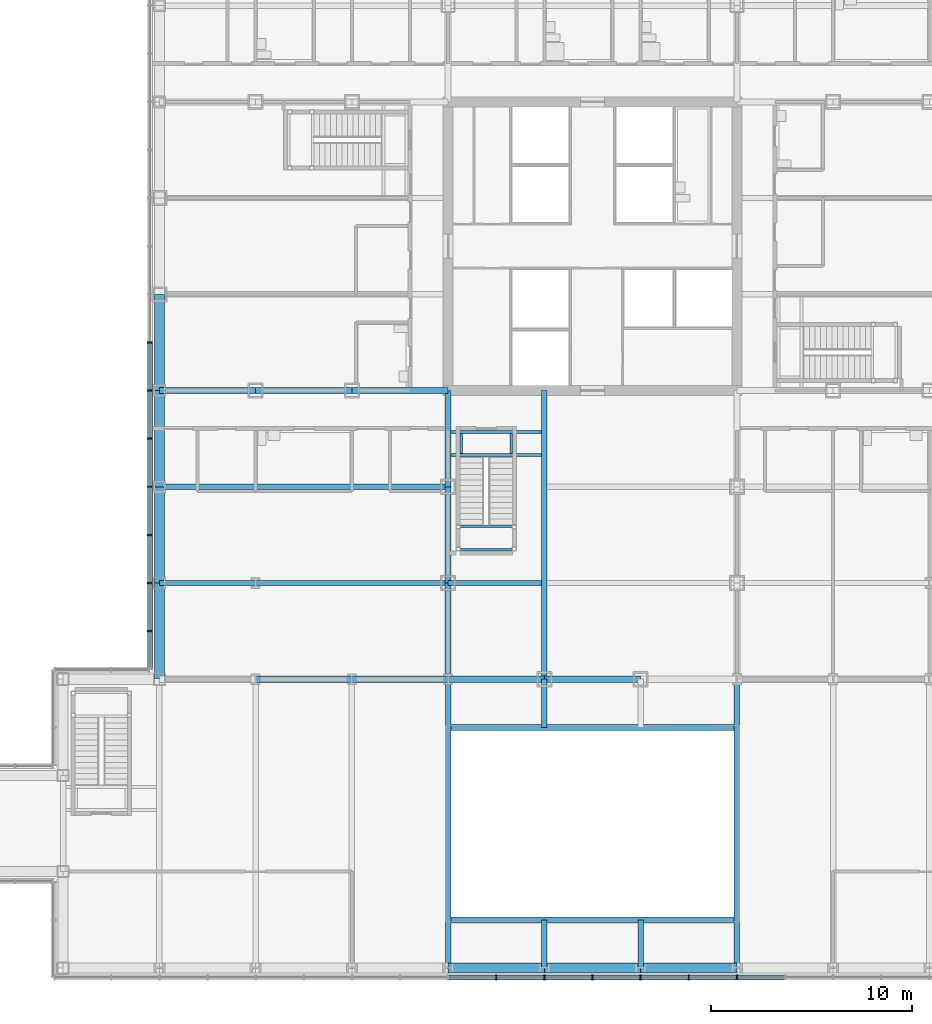
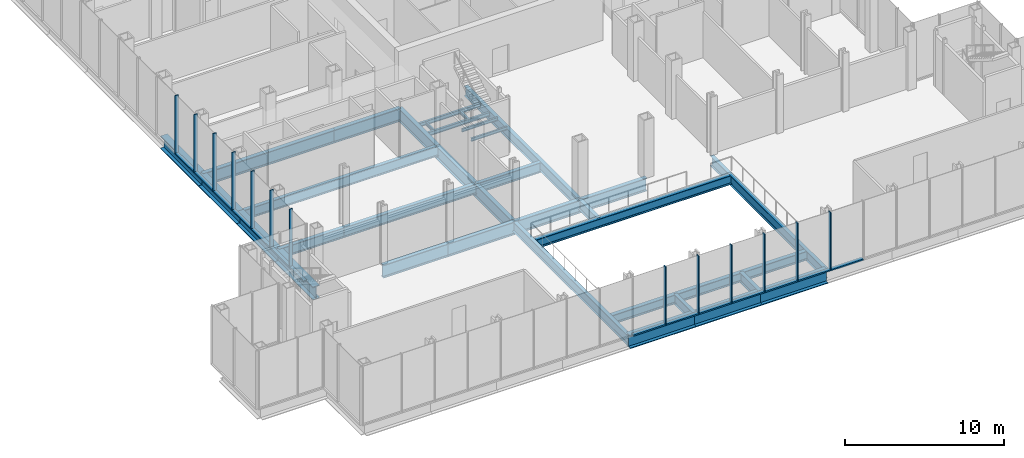
# One storey, part 12 of 25: 35 beams, 27 members, 2 elements without a shape of their own.
"""IFC4 building model written with IfcOpenShell, lengths in metres."""

from ifc_helpers import new_model, si_unit, direction, frame, origin, origin_2d, place, context, subcontext, project, spatial, rectangle, i_section, extrude, material, material_profile, profile_set, type_object, element, aggregate, save


model = new_model("IFC4")

# Units and contexts
model_context = context("Model", 3, precision=1e-05, world=origin(), true_north=direction((0.0, 1.0)))
body_context = subcontext(model_context, "Body", "Model", "MODEL_VIEW")
ifc_project = project(units=[si_unit("LENGTHUNIT", "METRE"), si_unit("AREAUNIT", "SQUARE_METRE"), si_unit("VOLUMEUNIT", "CUBIC_METRE"), si_unit("PLANEANGLEUNIT", "RADIAN"), si_unit("MASSUNIT", "GRAM", prefix="KILO")], contexts=[model_context])

# Site, building, storey
site_placement = place(None, origin())
site = spatial("IfcSite", under=ifc_project, at=site_placement, CompositionType="ELEMENT")
building_placement = place(site_placement, origin())
building = spatial("IfcBuilding", under=site, at=building_placement, Name="Kvirike Care Tower", CompositionType="ELEMENT")
storey_placement = place(building_placement, frame((0.0, 0.0, 9.0)))
storey = spatial("IfcBuildingStorey", under=building, at=storey_placement, Name="L02", CompositionType="ELEMENT", Elevation=9.0)

# Beams
ifc_material_1 = material(Name="Steel S355", Category="steel")
ifc_material_profile_1 = material_profile(ifc_material_1, i_section(OverallWidth=0.300048828125, OverallDepth=0.699951171875, WebThickness=0.01708984375, FlangeThickness=0.031982421875, FilletRadius=0.027099609375, at=origin_2d()), Name="HE 700 B")
ifc_profile_set_1 = profile_set([ifc_material_profile_1], Name="Steel S355")
beam_type_1 = type_object("IfcBeamType", Name="ATRIUM EDGE BEAM HE 700 B", PredefinedType="BEAM", material=ifc_profile_set_1)
for number, where, z_axis, x_axis, name in (
    (1, (14.39990234375, 2.39990234375, -0.52001953125), (1.0, 0.0, 0.0), (0.0, 1.0, 0.0), "Atrium Edge Beam 14.40/2.40-28.80/2.40 L02"),
    (2, (14.39990234375, 12.0, -0.52001953125), (1.0, 0.0, 0.0), (0.0, 1.0, 0.0), "Atrium Edge Beam 14.40/12.00-28.80/12.00 L02"),
):
    element("IfcBeam", number, at=place(storey_placement, frame(where, z_axis=z_axis, x_axis=x_axis)), inside=storey, type_object=beam_type_1, Name=name, PredefinedType="BEAM", context=body_context, shape_type="SweptSolid", body=[
        extrude(i_section(OverallWidth=0.300048828125, OverallDepth=0.699951171875, WebThickness=0.01708984375, FlangeThickness=0.031982421875, FilletRadius=0.027099609375, at=origin_2d()), origin(), (0.0, 0.0, 1.0), 14.400146484375),
    ])

# Curtain wall, members
ifc_material_2 = material(Name="Anodised aluminium stick system", Category="aluminium")
curtain_wall_type = type_object("IfcCurtainWallType", Name="CW-P PODIUM STICK CURTAIN WALL", PredefinedType="NOTDEFINED", material=ifc_material_2)
curtain_wall_1_placement = place(storey_placement, origin())
curtain_wall_1 = element("IfcCurtainWall", 3, at=curtain_wall_1_placement, inside=storey, type_object=curtain_wall_type, Name="Curtain wall L02 face 1", PredefinedType="NOTDEFINED")
ifc_material_3 = material(Name="Bronze anodised aluminium mullion", Category="aluminium")
ifc_material_profile_2 = material_profile(ifc_material_3, rectangle(XDim=0.06494140625, YDim=0.25, at=origin_2d()), Name="CW-P MULLION 65x250")
ifc_profile_set_2 = profile_set([ifc_material_profile_2], Name="Bronze anodised aluminium mullion")
member_type_1 = type_object("IfcMemberType", Name="CW-P MULLION 65x250", PredefinedType="MULLION", material=ifc_profile_set_2)
member_1_placement = place(storey_placement, frame((16.800048828125, -0.47509765625, 0.0), z_axis=(0.0, 0.0, 1.0), x_axis=(1.0, 0.0, 0.0)))
member_1 = element("IfcMember", 4, at=member_1_placement, type_object=member_type_1, Name="CW-P mullion L02 face 1.10", PredefinedType="MULLION", context=body_context, shape_type="SweptSolid", body=[
    extrude(rectangle(XDim=0.06494140625, YDim=0.25, at=origin_2d()), origin(), (0.0, 0.0, 1.0), 4.5),
])
member_2_placement = place(storey_placement, frame((19.199951171875, -0.47509765625, 0.0), z_axis=(0.0, 0.0, 1.0), x_axis=(1.0, 0.0, 0.0)))
member_2 = element("IfcMember", 5, at=member_2_placement, type_object=member_type_1, Name="CW-P mullion L02 face 1.11", PredefinedType="MULLION", context=body_context, shape_type="SweptSolid", body=[
    extrude(rectangle(XDim=0.06494140625, YDim=0.25, at=origin_2d()), origin(), (0.0, 0.0, 1.0), 4.5),
])
member_3_placement = place(storey_placement, frame((21.60009765625, -0.47509765625, 0.0), z_axis=(0.0, 0.0, 1.0), x_axis=(1.0, 0.0, 0.0)))
member_3 = element("IfcMember", 6, at=member_3_placement, type_object=member_type_1, Name="CW-P mullion L02 face 1.12", PredefinedType="MULLION", context=body_context, shape_type="SweptSolid", body=[
    extrude(rectangle(XDim=0.06494140625, YDim=0.25, at=origin_2d()), origin(), (0.0, 0.0, 1.0), 4.5),
])
member_4_placement = place(storey_placement, frame((24.0, -0.47509765625, 0.0), z_axis=(0.0, 0.0, 1.0), x_axis=(1.0, 0.0, 0.0)))
member_4 = element("IfcMember", 7, at=member_4_placement, type_object=member_type_1, Name="CW-P mullion L02 face 1.13", PredefinedType="MULLION", context=body_context, shape_type="SweptSolid", body=[
    extrude(rectangle(XDim=0.06494140625, YDim=0.25, at=origin_2d()), origin(), (0.0, 0.0, 1.0), 4.5),
])
member_5_placement = place(storey_placement, frame((26.39990234375, -0.47509765625, 0.0), z_axis=(0.0, 0.0, 1.0), x_axis=(1.0, 0.0, 0.0)))
member_5 = element("IfcMember", 8, at=member_5_placement, type_object=member_type_1, Name="CW-P mullion L02 face 1.14", PredefinedType="MULLION", context=body_context, shape_type="SweptSolid", body=[
    extrude(rectangle(XDim=0.06494140625, YDim=0.25, at=origin_2d()), origin(), (0.0, 0.0, 1.0), 4.5),
])
member_6_placement = place(storey_placement, frame((28.800048828125, -0.47509765625, 0.0), z_axis=(0.0, 0.0, 1.0), x_axis=(1.0, 0.0, 0.0)))
member_6 = element("IfcMember", 9, at=member_6_placement, type_object=member_type_1, Name="CW-P mullion L02 face 1.15", PredefinedType="MULLION", context=body_context, shape_type="SweptSolid", body=[
    extrude(rectangle(XDim=0.06494140625, YDim=0.25, at=origin_2d()), origin(), (0.0, 0.0, 1.0), 4.5),
])

curtain_wall_2_placement = place(storey_placement, origin())
curtain_wall_2 = element("IfcCurtainWall", 10, at=curtain_wall_2_placement, inside=storey, type_object=curtain_wall_type, Name="Curtain wall L02 face 14", PredefinedType="NOTDEFINED")
member_7_placement = place(storey_placement, frame((-0.47509765625, 31.199951171875, 0.0), z_axis=(0.0, 0.0, 1.0), x_axis=(0.0, -1.0, 0.0)))
member_7 = element("IfcMember", 11, at=member_7_placement, type_object=member_type_1, Name="CW-P mullion L02 face 14.10", PredefinedType="MULLION", context=body_context, shape_type="SweptSolid", body=[
    extrude(rectangle(XDim=0.06494140625, YDim=0.25, at=origin_2d()), origin(), (0.0, 0.0, 1.0), 4.5),
])
member_8_placement = place(storey_placement, frame((-0.47509765625, 28.800048828125, 0.0), z_axis=(0.0, 0.0, 1.0), x_axis=(0.0, -1.0, 0.0)))
member_8 = element("IfcMember", 12, at=member_8_placement, type_object=member_type_1, Name="CW-P mullion L02 face 14.11", PredefinedType="MULLION", context=body_context, shape_type="SweptSolid", body=[
    extrude(rectangle(XDim=0.06494140625, YDim=0.25, at=origin_2d()), origin(), (0.0, 0.0, 1.0), 4.5),
])
member_9_placement = place(storey_placement, frame((-0.47509765625, 26.39990234375, 0.0), z_axis=(0.0, 0.0, 1.0), x_axis=(0.0, -1.0, 0.0)))
member_9 = element("IfcMember", 13, at=member_9_placement, type_object=member_type_1, Name="CW-P mullion L02 face 14.12", PredefinedType="MULLION", context=body_context, shape_type="SweptSolid", body=[
    extrude(rectangle(XDim=0.06494140625, YDim=0.25, at=origin_2d()), origin(), (0.0, 0.0, 1.0), 4.5),
])
member_10_placement = place(storey_placement, frame((-0.47509765625, 24.0, 0.0), z_axis=(0.0, 0.0, 1.0), x_axis=(0.0, -1.0, 0.0)))
member_10 = element("IfcMember", 14, at=member_10_placement, type_object=member_type_1, Name="CW-P mullion L02 face 14.13", PredefinedType="MULLION", context=body_context, shape_type="SweptSolid", body=[
    extrude(rectangle(XDim=0.06494140625, YDim=0.25, at=origin_2d()), origin(), (0.0, 0.0, 1.0), 4.5),
])
member_11_placement = place(storey_placement, frame((-0.47509765625, 21.60009765625, 0.0), z_axis=(0.0, 0.0, 1.0), x_axis=(0.0, -1.0, 0.0)))
member_11 = element("IfcMember", 15, at=member_11_placement, type_object=member_type_1, Name="CW-P mullion L02 face 14.14", PredefinedType="MULLION", context=body_context, shape_type="SweptSolid", body=[
    extrude(rectangle(XDim=0.06494140625, YDim=0.25, at=origin_2d()), origin(), (0.0, 0.0, 1.0), 4.5),
])
member_12_placement = place(storey_placement, frame((-0.47509765625, 19.199951171875, 0.0), z_axis=(0.0, 0.0, 1.0), x_axis=(0.0, -1.0, 0.0)))
member_12 = element("IfcMember", 16, at=member_12_placement, type_object=member_type_1, Name="CW-P mullion L02 face 14.15", PredefinedType="MULLION", context=body_context, shape_type="SweptSolid", body=[
    extrude(rectangle(XDim=0.06494140625, YDim=0.25, at=origin_2d()), origin(), (0.0, 0.0, 1.0), 4.5),
])
member_13_placement = place(storey_placement, frame((-0.47509765625, 16.800048828125, 0.0), z_axis=(0.0, 0.0, 1.0), x_axis=(0.0, -1.0, 0.0)))
member_13 = element("IfcMember", 17, at=member_13_placement, type_object=member_type_1, Name="CW-P mullion L02 face 14.16", PredefinedType="MULLION", context=body_context, shape_type="SweptSolid", body=[
    extrude(rectangle(XDim=0.06494140625, YDim=0.25, at=origin_2d()), origin(), (0.0, 0.0, 1.0), 4.5),
])

# Member
ifc_material_4 = material(Name="Bronze anodised aluminium transom", Category="aluminium")
ifc_material_profile_3 = material_profile(ifc_material_4, rectangle(XDim=0.25, YDim=0.10009765625, at=origin_2d()), Name="CW-P TRANSOM 250x100")
ifc_profile_set_3 = profile_set([ifc_material_profile_3], Name="Bronze anodised aluminium transom")
member_type_2 = type_object("IfcMemberType", Name="CW-P TRANSOM 250x100", PredefinedType="USERDEFINED", material=ifc_profile_set_3)
member_14_placement = place(storey_placement, frame((14.4326171875, -0.47509765625, 0.050048828125), z_axis=(1.0, 0.0, 0.0), x_axis=(0.0, 1.0, 0.0)))
member_14 = element("IfcMember", 18, at=member_14_placement, type_object=member_type_2, Name="CW-P sill transom L02 face 1.9", ObjectType="TRANSOM", PredefinedType="USERDEFINED", context=body_context, shape_type="SweptSolid", body=[
    extrude(rectangle(XDim=0.25, YDim=0.10009765625, at=origin_2d()), origin(), (0.0, 0.0, 1.0), 2.3349609375),
])

member_15_placement = place(storey_placement, frame((16.83251953125, -0.47509765625, 0.050048828125), z_axis=(1.0, 0.0, 0.0), x_axis=(0.0, 1.0, 0.0)))
member_15 = element("IfcMember", 19, at=member_15_placement, type_object=member_type_2, Name="CW-P sill transom L02 face 1.10", ObjectType="TRANSOM", PredefinedType="USERDEFINED", context=body_context, shape_type="SweptSolid", body=[
    extrude(rectangle(XDim=0.25, YDim=0.10009765625, at=origin_2d()), origin(), (0.0, 0.0, 1.0), 2.3349609375),
])

member_16_placement = place(storey_placement, frame((19.232421875, -0.47509765625, 0.050048828125), z_axis=(1.0, 0.0, 0.0), x_axis=(0.0, 1.0, 0.0)))
member_16 = element("IfcMember", 20, at=member_16_placement, type_object=member_type_2, Name="CW-P sill transom L02 face 1.11", ObjectType="TRANSOM", PredefinedType="USERDEFINED", context=body_context, shape_type="SweptSolid", body=[
    extrude(rectangle(XDim=0.25, YDim=0.10009765625, at=origin_2d()), origin(), (0.0, 0.0, 1.0), 2.3349609375),
])

member_17_placement = place(storey_placement, frame((21.632568359375, -0.47509765625, 0.050048828125), z_axis=(1.0, 0.0, 0.0), x_axis=(0.0, 1.0, 0.0)))
member_17 = element("IfcMember", 21, at=member_17_placement, type_object=member_type_2, Name="CW-P sill transom L02 face 1.12", ObjectType="TRANSOM", PredefinedType="USERDEFINED", context=body_context, shape_type="SweptSolid", body=[
    extrude(rectangle(XDim=0.25, YDim=0.10009765625, at=origin_2d()), origin(), (0.0, 0.0, 1.0), 2.3349609375),
])

member_18_placement = place(storey_placement, frame((24.032470703125, -0.47509765625, 0.050048828125), z_axis=(1.0, 0.0, 0.0), x_axis=(0.0, 1.0, 0.0)))
member_18 = element("IfcMember", 22, at=member_18_placement, type_object=member_type_2, Name="CW-P sill transom L02 face 1.13", ObjectType="TRANSOM", PredefinedType="USERDEFINED", context=body_context, shape_type="SweptSolid", body=[
    extrude(rectangle(XDim=0.25, YDim=0.10009765625, at=origin_2d()), origin(), (0.0, 0.0, 1.0), 2.3349609375),
])

member_19_placement = place(storey_placement, frame((26.4326171875, -0.47509765625, 0.050048828125), z_axis=(1.0, 0.0, 0.0), x_axis=(0.0, 1.0, 0.0)))
member_19 = element("IfcMember", 23, at=member_19_placement, type_object=member_type_2, Name="CW-P sill transom L02 face 1.14", ObjectType="TRANSOM", PredefinedType="USERDEFINED", context=body_context, shape_type="SweptSolid", body=[
    extrude(rectangle(XDim=0.25, YDim=0.10009765625, at=origin_2d()), origin(), (0.0, 0.0, 1.0), 2.3349609375),
])

member_20_placement = place(storey_placement, frame((28.83251953125, -0.47509765625, 0.050048828125), z_axis=(1.0, 0.0, 0.0), x_axis=(0.0, 1.0, 0.0)))
member_20 = element("IfcMember", 24, at=member_20_placement, type_object=member_type_2, Name="CW-P sill transom L02 face 1.15", ObjectType="TRANSOM", PredefinedType="USERDEFINED", context=body_context, shape_type="SweptSolid", body=[
    extrude(rectangle(XDim=0.25, YDim=0.10009765625, at=origin_2d()), origin(), (0.0, 0.0, 1.0), 2.3349609375),
])

aggregate(curtain_wall_1, [member_1, member_2, member_3, member_4, member_5, member_6, member_14, member_15, member_16, member_17, member_18, member_19, member_20])

member_21_placement = place(storey_placement, frame((-0.47509765625, 31.16748046875, 0.050048828125), z_axis=(0.0, -1.0, 0.0), x_axis=(1.0, 0.0, 0.0)))
member_21 = element("IfcMember", 25, at=member_21_placement, type_object=member_type_2, Name="CW-P sill transom L02 face 14.10", ObjectType="TRANSOM", PredefinedType="USERDEFINED", context=body_context, shape_type="SweptSolid", body=[
    extrude(rectangle(XDim=0.25, YDim=0.10009765625, at=origin_2d()), origin(), (0.0, 0.0, 1.0), 2.3349609375),
])

member_22_placement = place(storey_placement, frame((-0.47509765625, 28.767578125, 0.050048828125), z_axis=(0.0, -1.0, 0.0), x_axis=(1.0, 0.0, 0.0)))
member_22 = element("IfcMember", 26, at=member_22_placement, type_object=member_type_2, Name="CW-P sill transom L02 face 14.11", ObjectType="TRANSOM", PredefinedType="USERDEFINED", context=body_context, shape_type="SweptSolid", body=[
    extrude(rectangle(XDim=0.25, YDim=0.10009765625, at=origin_2d()), origin(), (0.0, 0.0, 1.0), 2.3349609375),
])

member_23_placement = place(storey_placement, frame((-0.47509765625, 26.367431640625, 0.050048828125), z_axis=(0.0, -1.0, 0.0), x_axis=(1.0, 0.0, 0.0)))
member_23 = element("IfcMember", 27, at=member_23_placement, type_object=member_type_2, Name="CW-P sill transom L02 face 14.12", ObjectType="TRANSOM", PredefinedType="USERDEFINED", context=body_context, shape_type="SweptSolid", body=[
    extrude(rectangle(XDim=0.25, YDim=0.10009765625, at=origin_2d()), origin(), (0.0, 0.0, 1.0), 2.3349609375),
])

member_24_placement = place(storey_placement, frame((-0.47509765625, 23.967529296875, 0.050048828125), z_axis=(0.0, -1.0, 0.0), x_axis=(1.0, 0.0, 0.0)))
member_24 = element("IfcMember", 28, at=member_24_placement, type_object=member_type_2, Name="CW-P sill transom L02 face 14.13", ObjectType="TRANSOM", PredefinedType="USERDEFINED", context=body_context, shape_type="SweptSolid", body=[
    extrude(rectangle(XDim=0.25, YDim=0.10009765625, at=origin_2d()), origin(), (0.0, 0.0, 1.0), 2.3349609375),
])

member_25_placement = place(storey_placement, frame((-0.47509765625, 21.5673828125, 0.050048828125), z_axis=(0.0, -1.0, 0.0), x_axis=(1.0, 0.0, 0.0)))
member_25 = element("IfcMember", 29, at=member_25_placement, type_object=member_type_2, Name="CW-P sill transom L02 face 14.14", ObjectType="TRANSOM", PredefinedType="USERDEFINED", context=body_context, shape_type="SweptSolid", body=[
    extrude(rectangle(XDim=0.25, YDim=0.10009765625, at=origin_2d()), origin(), (0.0, 0.0, 1.0), 2.3349609375),
])

member_26_placement = place(storey_placement, frame((-0.47509765625, 19.16748046875, 0.050048828125), z_axis=(0.0, -1.0, 0.0), x_axis=(1.0, 0.0, 0.0)))
member_26 = element("IfcMember", 30, at=member_26_placement, type_object=member_type_2, Name="CW-P sill transom L02 face 14.15", ObjectType="TRANSOM", PredefinedType="USERDEFINED", context=body_context, shape_type="SweptSolid", body=[
    extrude(rectangle(XDim=0.25, YDim=0.10009765625, at=origin_2d()), origin(), (0.0, 0.0, 1.0), 2.3349609375),
])

member_27_placement = place(storey_placement, frame((-0.47509765625, 16.767578125, 0.050048828125), z_axis=(0.0, -1.0, 0.0), x_axis=(1.0, 0.0, 0.0)))
member_27 = element("IfcMember", 31, at=member_27_placement, type_object=member_type_2, Name="CW-P sill transom L02 face 14.16", ObjectType="TRANSOM", PredefinedType="USERDEFINED", context=body_context, shape_type="SweptSolid", body=[
    extrude(rectangle(XDim=0.25, YDim=0.10009765625, at=origin_2d()), origin(), (0.0, 0.0, 1.0), 1.82763671875),
])

aggregate(curtain_wall_2, [member_7, member_8, member_9, member_10, member_11, member_12, member_13, member_21, member_22, member_23, member_24, member_25, member_26, member_27])

# Beams
ifc_material_5 = material(Name="Steel S355", Category="steel")
ifc_material_profile_4 = material_profile(ifc_material_5, i_section(OverallWidth=0.26806640625, OverallDepth=0.77001953125, WebThickness=0.015625, FlangeThickness=0.025390625, FilletRadius=0.01708984375, at=origin_2d()), Name="IPE 750x196")
ifc_profile_set_4 = profile_set([ifc_material_profile_4], Name="Steel S355")
beam_type_2 = type_object("IfcBeamType", Name="FLOOR BEAM IPE 750x196", PredefinedType="BEAM", material=ifc_profile_set_4)
beam_1_placement = place(storey_placement, frame((0.0, 19.199951171875, -0.554931640625), z_axis=(1.0, 0.0, 0.0), x_axis=(0.0, 1.0, 0.0)))
element("IfcBeam", 32, at=beam_1_placement, inside=storey, type_object=beam_type_2, Name="Floor Beam E3-E4 L02", PredefinedType="BEAM", context=body_context, shape_type="SweptSolid", body=[
    extrude(i_section(OverallWidth=0.26806640625, OverallDepth=0.77001953125, WebThickness=0.015625, FlangeThickness=0.025390625, FilletRadius=0.01708984375, at=origin_2d()), origin(), (0.0, 0.0, 1.0), 4.800048828125),
])
beam_2_placement = place(storey_placement, frame((4.800048828125, 19.199951171875, -0.554931640625), z_axis=(1.0, 0.0, 0.0), x_axis=(0.0, 1.0, 0.0)))
element("IfcBeam", 33, at=beam_2_placement, inside=storey, type_object=beam_type_2, Name="Floor Beam E4-E6 L02", PredefinedType="BEAM", context=body_context, shape_type="SweptSolid", body=[
    extrude(i_section(OverallWidth=0.26806640625, OverallDepth=0.77001953125, WebThickness=0.015625, FlangeThickness=0.025390625, FilletRadius=0.01708984375, at=origin_2d()), origin(), (0.0, 0.0, 1.0), 9.599853515625),
])
beam_3_placement = place(storey_placement, frame((14.39990234375, 19.199951171875, -0.554931640625), z_axis=(1.0, 0.0, 0.0), x_axis=(0.0, 1.0, 0.0)))
element("IfcBeam", 34, at=beam_3_placement, inside=storey, type_object=beam_type_2, Name="Floor Beam E6-E7 L02", PredefinedType="BEAM", context=body_context, shape_type="SweptSolid", body=[
    extrude(i_section(OverallWidth=0.26806640625, OverallDepth=0.77001953125, WebThickness=0.015625, FlangeThickness=0.025390625, FilletRadius=0.01708984375, at=origin_2d()), origin(), (0.0, 0.0, 1.0), 4.666015625),
])
for number, where, z_axis, x_axis, name in (
    (35, (0.0, 24.0, -0.554931640625), (1.0, 0.0, 0.0), (0.0, 1.0, 0.0), "Floor Beam F3-F6 L02"),
    (36, (14.39990234375, 0.0, -0.554931640625), (0.0, 1.0, 0.0), (-1.0, 0.0, 0.0), "Floor Beam A6-D6 L02"),
):
    element("IfcBeam", number, at=place(storey_placement, frame(where, z_axis=z_axis, x_axis=x_axis)), inside=storey, type_object=beam_type_2, Name=name, PredefinedType="BEAM", context=body_context, shape_type="SweptSolid", body=[
        extrude(i_section(OverallWidth=0.26806640625, OverallDepth=0.77001953125, WebThickness=0.015625, FlangeThickness=0.025390625, FilletRadius=0.01708984375, at=origin_2d()), origin(), (0.0, 0.0, 1.0), 14.39990234375),
    ])
for number, where, z_axis, x_axis, name in (
    (37, (19.199951171875, 0.0, -0.554931640625), (0.0, 1.0, 0.0), (-1.0, 0.0, 0.0), "Floor Beam A7-19.20/2.40 L02"),
    (38, (19.199951171875, 12.0, -0.554931640625), (0.0, 1.0, 0.0), (-1.0, 0.0, 0.0), "Floor Beam 19.20/12.00-D7 L02"),
):
    element("IfcBeam", number, at=place(storey_placement, frame(where, z_axis=z_axis, x_axis=x_axis)), inside=storey, type_object=beam_type_2, Name=name, PredefinedType="BEAM", context=body_context, shape_type="SweptSolid", body=[
        extrude(i_section(OverallWidth=0.26806640625, OverallDepth=0.77001953125, WebThickness=0.015625, FlangeThickness=0.025390625, FilletRadius=0.01708984375, at=origin_2d()), origin(), (0.0, 0.0, 1.0), 2.39990234375),
    ])
beam_4_placement = place(storey_placement, frame((19.199951171875, 14.39990234375, -0.554931640625), z_axis=(0.0, 1.0, 0.0), x_axis=(-1.0, 0.0, 0.0)))
element("IfcBeam", 39, at=beam_4_placement, inside=storey, type_object=beam_type_2, Name="Floor Beam D7-G7 L02", PredefinedType="BEAM", context=body_context, shape_type="SweptSolid", body=[
    extrude(i_section(OverallWidth=0.26806640625, OverallDepth=0.77001953125, WebThickness=0.015625, FlangeThickness=0.025390625, FilletRadius=0.01708984375, at=origin_2d()), origin(), (0.0, 0.0, 1.0), 14.400146484375),
])
beam_5_placement = place(storey_placement, frame((24.0, 0.0, -0.554931640625), z_axis=(0.0, 1.0, 0.0), x_axis=(-1.0, 0.0, 0.0)))
element("IfcBeam", 40, at=beam_5_placement, inside=storey, type_object=beam_type_2, Name="Floor Beam A8-24.00/2.40 L02", PredefinedType="BEAM", context=body_context, shape_type="SweptSolid", body=[
    extrude(i_section(OverallWidth=0.26806640625, OverallDepth=0.77001953125, WebThickness=0.015625, FlangeThickness=0.025390625, FilletRadius=0.01708984375, at=origin_2d()), origin(), (0.0, 0.0, 1.0), 2.39990234375),
])
beam_6_placement = place(storey_placement, frame((28.800048828125, 0.0, -0.554931640625), z_axis=(0.0, 1.0, 0.0), x_axis=(-1.0, 0.0, 0.0)))
element("IfcBeam", 41, at=beam_6_placement, inside=storey, type_object=beam_type_2, Name="Floor Beam A9-D9 L02", PredefinedType="BEAM", context=body_context, shape_type="SweptSolid", body=[
    extrude(i_section(OverallWidth=0.26806640625, OverallDepth=0.77001953125, WebThickness=0.015625, FlangeThickness=0.025390625, FilletRadius=0.01708984375, at=origin_2d()), origin(), (0.0, 0.0, 1.0), 14.39990234375),
])
ifc_material_6 = material(Name="Steel S355", Category="steel")
ifc_material_profile_5 = material_profile(ifc_material_6, i_section(OverallWidth=0.300048828125, OverallDepth=1.0, WebThickness=0.01904296875, FlangeThickness=0.035888671875, FilletRadius=0.030029296875, at=origin_2d()), Name="HE 1000 B")
ifc_profile_set_5 = profile_set([ifc_material_profile_5], Name="Steel S355")
beam_type_3 = type_object("IfcBeamType", Name="FRAME BEAM HE 1000 B", PredefinedType="BEAM", material=ifc_profile_set_5)
beam_7_placement = place(storey_placement, frame((4.800048828125, 14.39990234375, -0.669921875), z_axis=(1.0, 0.0, 0.0), x_axis=(0.0, 1.0, 0.0)))
element("IfcBeam", 42, at=beam_7_placement, inside=storey, type_object=beam_type_3, Name="Frame Beam D4-D5 L02", PredefinedType="BEAM", context=body_context, shape_type="SweptSolid", body=[
    extrude(i_section(OverallWidth=0.300048828125, OverallDepth=1.0, WebThickness=0.01904296875, FlangeThickness=0.035888671875, FilletRadius=0.030029296875, at=origin_2d()), origin(), (0.0, 0.0, 1.0), 4.800048828125),
])
beam_8_placement = place(storey_placement, frame((9.60009765625, 14.39990234375, -0.669921875), z_axis=(1.0, 0.0, 0.0), x_axis=(0.0, 1.0, 0.0)))
element("IfcBeam", 43, at=beam_8_placement, inside=storey, type_object=beam_type_3, Name="Frame Beam D5-D6 L02", PredefinedType="BEAM", context=body_context, shape_type="SweptSolid", body=[
    extrude(i_section(OverallWidth=0.300048828125, OverallDepth=1.0, WebThickness=0.01904296875, FlangeThickness=0.035888671875, FilletRadius=0.030029296875, at=origin_2d()), origin(), (0.0, 0.0, 1.0), 4.7998046875),
])
for number, where, z_axis, x_axis, name in (
    (44, (14.39990234375, 14.39990234375, -0.669921875), (1.0, 0.0, 0.0), (0.0, 1.0, 0.0), "Frame Beam D6-D7 L02"),
    (45, (19.199951171875, 14.39990234375, -0.669921875), (1.0, 0.0, 0.0), (0.0, 1.0, 0.0), "Frame Beam D7-D8 L02"),
    (46, (0.0, 28.800048828125, -0.669921875), (1.0, 0.0, 0.0), (0.0, 1.0, 0.0), "Frame Beam G3-G4 L02"),
    (47, (4.800048828125, 28.800048828125, -0.669921875), (1.0, 0.0, 0.0), (0.0, 1.0, 0.0), "Frame Beam G4-G5 L02"),
):
    element("IfcBeam", number, at=place(storey_placement, frame(where, z_axis=z_axis, x_axis=x_axis)), inside=storey, type_object=beam_type_3, Name=name, PredefinedType="BEAM", context=body_context, shape_type="SweptSolid", body=[
        extrude(i_section(OverallWidth=0.300048828125, OverallDepth=1.0, WebThickness=0.01904296875, FlangeThickness=0.035888671875, FilletRadius=0.030029296875, at=origin_2d()), origin(), (0.0, 0.0, 1.0), 4.800048828125),
    ])
beam_9_placement = place(storey_placement, frame((9.60009765625, 28.800048828125, -0.669921875), z_axis=(1.0, 0.0, 0.0), x_axis=(0.0, 1.0, 0.0)))
element("IfcBeam", 48, at=beam_9_placement, inside=storey, type_object=beam_type_3, Name="Frame Beam G5-G6 L02", PredefinedType="BEAM", context=body_context, shape_type="SweptSolid", body=[
    extrude(i_section(OverallWidth=0.300048828125, OverallDepth=1.0, WebThickness=0.01904296875, FlangeThickness=0.035888671875, FilletRadius=0.030029296875, at=origin_2d()), origin(), (0.0, 0.0, 1.0), 4.7998046875),
])
for number, where, z_axis, x_axis, name in (
    (49, (14.39990234375, 14.39990234375, -0.669921875), (0.0, 1.0, 0.0), (-1.0, 0.0, 0.0), "Frame Beam D6-E6 L02"),
    (50, (14.39990234375, 19.199951171875, -0.669921875), (0.0, 1.0, 0.0), (-1.0, 0.0, 0.0), "Frame Beam E6-F6 L02"),
    (51, (14.39990234375, 24.0, -0.669921875), (0.0, 1.0, 0.0), (-1.0, 0.0, 0.0), "Frame Beam F6-G6 L02"),
):
    element("IfcBeam", number, at=place(storey_placement, frame(where, z_axis=z_axis, x_axis=x_axis)), inside=storey, type_object=beam_type_3, Name=name, PredefinedType="BEAM", context=body_context, shape_type="SweptSolid", body=[
        extrude(i_section(OverallWidth=0.300048828125, OverallDepth=1.0, WebThickness=0.01904296875, FlangeThickness=0.035888671875, FilletRadius=0.030029296875, at=origin_2d()), origin(), (0.0, 0.0, 1.0), 4.800048828125),
    ])
ifc_material_7 = material(Name="Steel S355", Category="steel")
ifc_material_profile_6 = material_profile(ifc_material_7, i_section(OverallWidth=0.5, OverallDepth=1.0, WebThickness=0.030029296875, FlangeThickness=0.06005859375, at=origin_2d()), Name="PG 1000x500x30x60")
ifc_profile_set_6 = profile_set([ifc_material_profile_6], Name="Steel S355")
beam_type_4 = type_object("IfcBeamType", Name="SPANDREL PG 1000x500x30x60", PredefinedType="SPANDREL", material=ifc_profile_set_6)
for number, where, z_axis, x_axis, name in (
    (52, (14.39990234375, 0.0, -0.669921875), (1.0, 0.0, 0.0), (0.0, 1.0, 0.0), "Spandrel A6-A7 L02"),
    (53, (19.199951171875, 0.0, -0.669921875), (1.0, 0.0, 0.0), (0.0, 1.0, 0.0), "Spandrel A7-A8 L02"),
    (54, (24.0, 0.0, -0.669921875), (1.0, 0.0, 0.0), (0.0, 1.0, 0.0), "Spandrel A8-A9 L02"),
    (55, (0.0, 14.39990234375, -0.669921875), (0.0, 1.0, 0.0), (-1.0, 0.0, 0.0), "Spandrel D3-E3 L02"),
    (56, (0.0, 19.199951171875, -0.669921875), (0.0, 1.0, 0.0), (-1.0, 0.0, 0.0), "Spandrel E3-F3 L02"),
    (57, (0.0, 24.0, -0.669921875), (0.0, 1.0, 0.0), (-1.0, 0.0, 0.0), "Spandrel F3-G3 L02"),
    (58, (0.0, 28.800048828125, -0.669921875), (0.0, 1.0, 0.0), (-1.0, 0.0, 0.0), "Spandrel G3-H3 L02"),
):
    element("IfcBeam", number, at=place(storey_placement, frame(where, z_axis=z_axis, x_axis=x_axis)), inside=storey, type_object=beam_type_4, Name=name, PredefinedType="SPANDREL", context=body_context, shape_type="SweptSolid", body=[
        extrude(i_section(OverallWidth=0.5, OverallDepth=1.0, WebThickness=0.030029296875, FlangeThickness=0.06005859375, at=origin_2d()), origin(), (0.0, 0.0, 1.0), 4.800048828125),
    ])
ifc_material_8 = material(Name="Steel S355", Category="steel")
ifc_material_profile_7 = material_profile(ifc_material_8, i_section(OverallWidth=0.1201171875, OverallDepth=0.239990234375, WebThickness=0.006103515625, FlangeThickness=0.009765625, FilletRadius=0.014892578125, at=origin_2d()), Name="IPE 240")
ifc_profile_set_7 = profile_set([ifc_material_profile_7], Name="Steel S355")
beam_type_5 = type_object("IfcBeamType", Name="STAIR LANDING BEAM IPE 240", PredefinedType="BEAM", material=ifc_profile_set_7)
for number, where, z_axis, x_axis, name in (
    (59, (15.0, 20.860107421875, 1.929931640625), (1.0, 0.0, 0.0), (0.0, 1.0, 0.0), "Stair 5 landing beam back L02"),
    (60, (15.0, 22.0400390625, 1.929931640625), (1.0, 0.0, 0.0), (0.0, 1.0, 0.0), "Stair 5 landing beam front L02"),
):
    element("IfcBeam", number, at=place(storey_placement, frame(where, z_axis=z_axis, x_axis=x_axis)), inside=storey, type_object=beam_type_5, Name=name, PredefinedType="BEAM", context=body_context, shape_type="SweptSolid", body=[
        extrude(i_section(OverallWidth=0.1201171875, OverallDepth=0.239990234375, WebThickness=0.006103515625, FlangeThickness=0.009765625, FilletRadius=0.014892578125, at=origin_2d()), origin(), (0.0, 0.0, 1.0), 2.60009765625),
    ])
for number, where, z_axis, x_axis, name in (
    (61, (15.06005859375, 25.64990234375, -0.320068359375), (0.0, 1.0, 0.0), (-1.0, 0.0, 0.0), "Stair 5 landing edge beam 1 L02"),
    (62, (17.5400390625, 25.64990234375, -0.320068359375), (0.0, 1.0, 0.0), (-1.0, 0.0, 0.0), "Stair 5 landing edge beam 2 L02"),
):
    element("IfcBeam", number, at=place(storey_placement, frame(where, z_axis=z_axis, x_axis=x_axis)), inside=storey, type_object=beam_type_5, Name=name, PredefinedType="BEAM", context=body_context, shape_type="SweptSolid", body=[
        extrude(i_section(OverallWidth=0.1201171875, OverallDepth=0.239990234375, WebThickness=0.006103515625, FlangeThickness=0.009765625, FilletRadius=0.014892578125, at=origin_2d()), origin(), (0.0, 0.0, 1.0), 1.0),
    ])
ifc_material_9 = material(Name="Steel S355", Category="steel")
ifc_material_profile_8 = material_profile(ifc_material_9, i_section(OverallWidth=0.14990234375, OverallDepth=0.300048828125, WebThickness=0.007080078125, FlangeThickness=0.0107421875, FilletRadius=0.014892578125, at=origin_2d()), Name="IPE 300")
ifc_profile_set_8 = profile_set([ifc_material_profile_8], Name="Steel S355")
beam_type_6 = type_object("IfcBeamType", Name="STAIR TRIMMER IPE 300", PredefinedType="BEAM", material=ifc_profile_set_8)
for number, where, z_axis, x_axis, name in (
    (63, (14.550048828125, 25.574951171875, -0.35009765625), (1.0, 0.0, 0.0), (0.0, 1.0, 0.0), "Stair 5 trimmer 1 L02"),
    (64, (14.550048828125, 26.72509765625, -0.35009765625), (1.0, 0.0, 0.0), (0.0, 1.0, 0.0), "Stair 5 trimmer 2 L02"),
):
    element("IfcBeam", number, at=place(storey_placement, frame(where, z_axis=z_axis, x_axis=x_axis)), inside=storey, type_object=beam_type_6, Name=name, PredefinedType="BEAM", context=body_context, shape_type="SweptSolid", body=[
        extrude(i_section(OverallWidth=0.14990234375, OverallDepth=0.300048828125, WebThickness=0.007080078125, FlangeThickness=0.0107421875, FilletRadius=0.014892578125, at=origin_2d()), origin(), (0.0, 0.0, 1.0), 4.515869140625),
    ])

save(model, "model.ifc")
